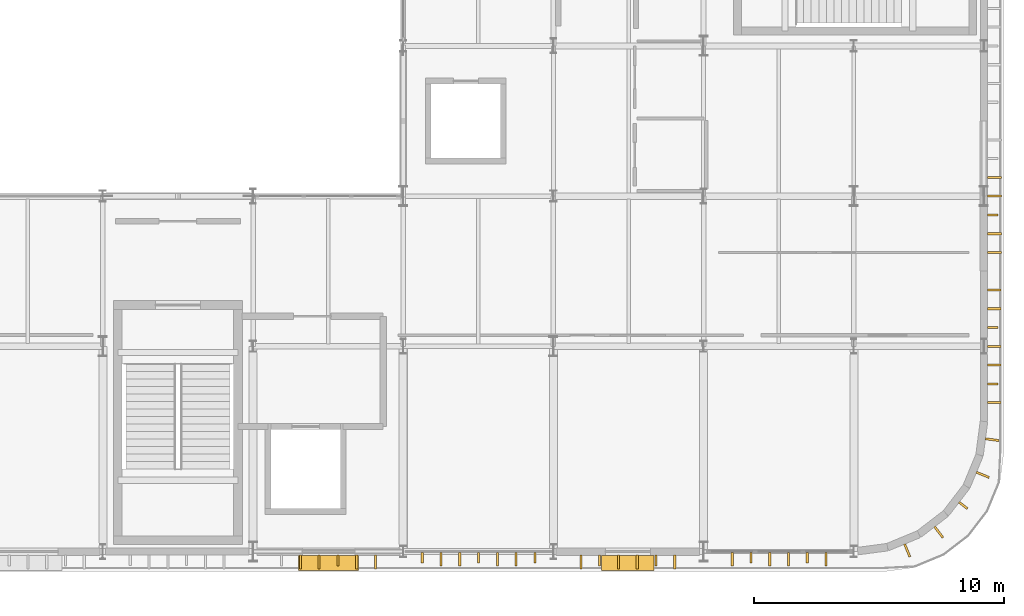
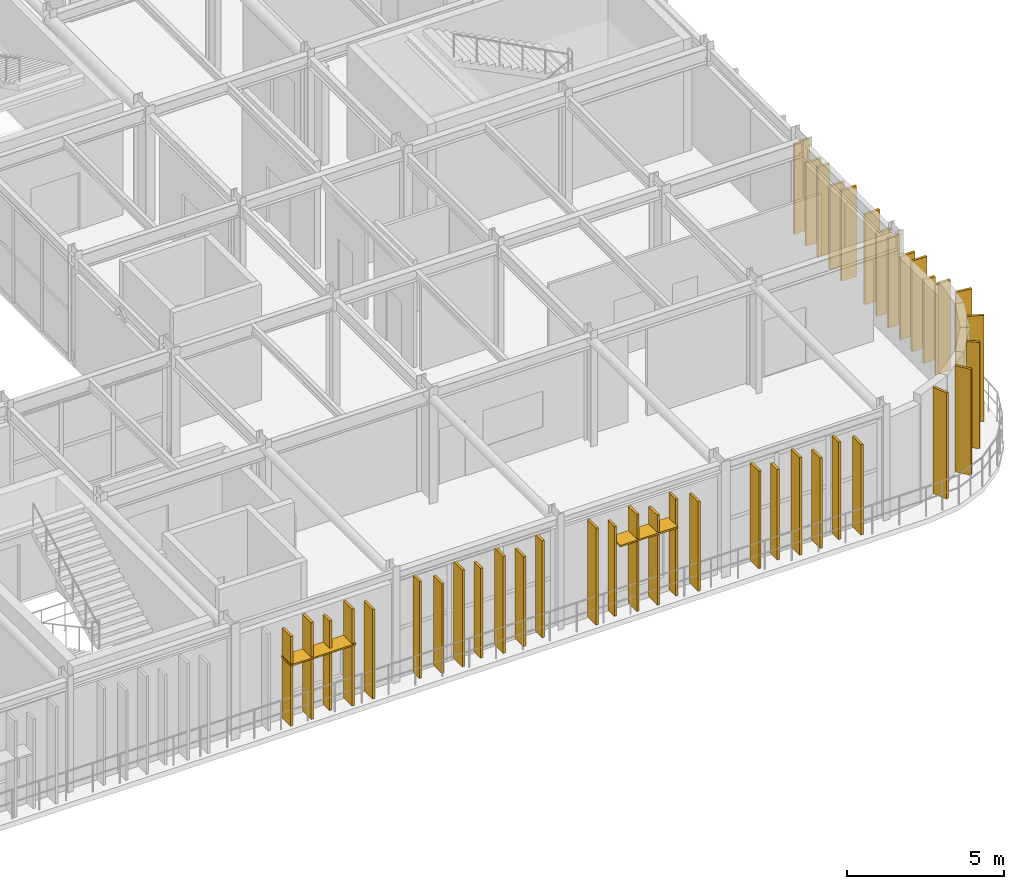
# One storey, part 81 of 84: 41 coverings, 2 shading devices.
"""IFC4 building model written with IfcOpenShell, lengths in metres."""

from ifc_helpers import new_model, si_unit, direction, frame, origin, origin_2d, place, context, subcontext, project, spatial, rectangle, extrude, material, layer, layer_set, type_object, element, save


model = new_model("IFC4")

# Units and contexts
model_context = context("Model", 3, precision=1e-05, world=origin(), true_north=direction((0.0, 1.0)))
body_context = subcontext(model_context, "Body", "Model", "MODEL_VIEW")
ifc_project = project(units=[si_unit("LENGTHUNIT", "METRE"), si_unit("AREAUNIT", "SQUARE_METRE"), si_unit("VOLUMEUNIT", "CUBIC_METRE"), si_unit("PLANEANGLEUNIT", "RADIAN"), si_unit("MASSUNIT", "GRAM", prefix="KILO")], contexts=[model_context])

# Site, building, storey
site_placement = place(None, origin())
site = spatial("IfcSite", under=ifc_project, at=site_placement, CompositionType="ELEMENT")
building_placement = place(site_placement, origin())
building = spatial("IfcBuilding", under=site, at=building_placement, Name="Varnakota Square Police Headquarters", CompositionType="ELEMENT")
storey_placement = place(building_placement, frame((0.0, 0.0, 13.5)))
storey = spatial("IfcBuildingStorey", under=building, at=storey_placement, Name="L03", CompositionType="ELEMENT", Elevation=13.5)

# Coverings
ifc_material_1 = material(Name="White Anodised Aluminium Vertical Facade Blade 420", Category="aluminium")
ifc_layer_1 = layer(ifc_material_1, 0.0849609375, Name="White Anodised Aluminium Vertical Facade Blade 420")
ifc_layer_set_1 = layer_set([ifc_layer_1], Name="White Anodised Aluminium Vertical Facade Blade 420")
covering_type_1 = type_object("IfcCoveringType", Name="COV-FIN-420", PredefinedType="CLADDING", material=ifc_layer_set_1)
covering_1_placement = place(storey_placement, frame((135.392578125, 0.445068359375, 0.0400390625), z_axis=(0.0, 0.0, 1.0), x_axis=(1.0, 0.0, 0.0)))
element("IfcCovering", 1, at=covering_1_placement, inside=storey, type_object=covering_type_1, Name="Vertical aluminium facade fin FIN-0451", PredefinedType="CLADDING", context=body_context, shape_type="SweptSolid", body=[
    extrude(rectangle(XDim=0.0849609375, YDim=0.419921875, at=origin_2d()), origin(), (0.0, 0.0, 1.0), 3.47998046875),
])
covering_2_placement = place(storey_placement, frame((138.760009765625, 0.5625, 0.0400390625), z_axis=(0.0, 0.0, 1.0), x_axis=(1.0, 0.0, 0.0)))
element("IfcCovering", 2, at=covering_2_placement, inside=storey, type_object=covering_type_1, Name="Vertical aluminium facade fin FIN-0454", PredefinedType="CLADDING", context=body_context, shape_type="SweptSolid", body=[
    extrude(rectangle(XDim=0.0849609375, YDim=0.419921875, at=origin_2d()), origin(), (0.0, 0.0, 1.0), 3.760009765625),
])
covering_3_placement = place(storey_placement, frame((141.010009765625, 0.5625, 0.0400390625), z_axis=(0.0, 0.0, 1.0), x_axis=(1.0, 0.0, 0.0)))
element("IfcCovering", 3, at=covering_3_placement, inside=storey, type_object=covering_type_1, Name="Vertical aluminium facade fin FIN-0457", PredefinedType="CLADDING", context=body_context, shape_type="SweptSolid", body=[
    extrude(rectangle(XDim=0.0849609375, YDim=0.419921875, at=origin_2d()), origin(), (0.0, 0.0, 1.0), 3.47998046875),
])
covering_4_placement = place(storey_placement, frame((143.260009765625, 0.5625, 0.0400390625), z_axis=(0.0, 0.0, 1.0), x_axis=(1.0, 0.0, 0.0)))
element("IfcCovering", 4, at=covering_4_placement, inside=storey, type_object=covering_type_1, Name="Vertical aluminium facade fin FIN-0460", PredefinedType="CLADDING", context=body_context, shape_type="SweptSolid", body=[
    extrude(rectangle(XDim=0.0849609375, YDim=0.419921875, at=origin_2d()), origin(), (0.0, 0.0, 1.0), 3.760009765625),
])
covering_5_placement = place(storey_placement, frame((145.847412109375, 0.445068359375, 0.0400390625), z_axis=(0.0, 0.0, 1.0), x_axis=(1.0, 0.0, 0.0)))
element("IfcCovering", 5, at=covering_5_placement, inside=storey, type_object=covering_type_1, Name="Vertical aluminium facade fin FIN-0462", PredefinedType="CLADDING", context=body_context, shape_type="SweptSolid", body=[
    extrude(rectangle(XDim=0.0849609375, YDim=0.419921875, at=origin_2d()), origin(), (0.0, 0.0, 1.0), 3.47998046875),
])
covering_6_placement = place(storey_placement, frame((148.097412109375, 0.445068359375, 0.0400390625), z_axis=(0.0, 0.0, 1.0), x_axis=(1.0, 0.0, 0.0)))
element("IfcCovering", 6, at=covering_6_placement, inside=storey, type_object=covering_type_1, Name="Vertical aluminium facade fin FIN-0465", PredefinedType="CLADDING", context=body_context, shape_type="SweptSolid", body=[
    extrude(rectangle(XDim=0.0849609375, YDim=0.419921875, at=origin_2d()), origin(), (0.0, 0.0, 1.0), 3.760009765625),
])
covering_7_placement = place(storey_placement, frame((151.892578125, 0.5625, 0.0400390625), z_axis=(0.0, 0.0, 1.0), x_axis=(1.0, 0.0, 0.0)))
element("IfcCovering", 7, at=covering_7_placement, inside=storey, type_object=covering_type_1, Name="Vertical aluminium facade fin FIN-0468", PredefinedType="CLADDING", context=body_context, shape_type="SweptSolid", body=[
    extrude(rectangle(XDim=0.0849609375, YDim=0.419921875, at=origin_2d()), origin(), (0.0, 0.0, 1.0), 3.506103515625),
])
covering_8_placement = place(storey_placement, frame((154.142578125, 0.5625, 0.0400390625), z_axis=(0.0, 0.0, 1.0), x_axis=(1.0, 0.0, 0.0)))
element("IfcCovering", 8, at=covering_8_placement, inside=storey, type_object=covering_type_1, Name="Vertical aluminium facade fin FIN-0471", PredefinedType="CLADDING", context=body_context, shape_type="SweptSolid", body=[
    extrude(rectangle(XDim=0.0849609375, YDim=0.419921875, at=origin_2d()), origin(), (0.0, 0.0, 1.0), 3.7861328125),
])
covering_9_placement = place(storey_placement, frame((161.544921875, 7.5, 0.0400390625), z_axis=(0.0, 0.0, 1.0), x_axis=(0.0, 1.0, 0.0)))
element("IfcCovering", 9, at=covering_9_placement, inside=storey, type_object=covering_type_1, Name="Vertical aluminium facade fin FIN-0474", PredefinedType="CLADDING", context=body_context, shape_type="SweptSolid", body=[
    extrude(rectangle(XDim=0.0849609375, YDim=0.419921875, at=origin_2d()), origin(), (0.0, 0.0, 1.0), 3.22998046875),
])
for number, where, z_axis, x_axis, name in (
    (10, (161.544921875, 9.75, 0.0400390625), (0.0, 0.0, 1.0), (0.0, 1.0, 0.0), "Vertical aluminium facade fin FIN-0477"),
    (11, (161.554931640625, 14.25, 0.0400390625), (0.0, 0.0, 1.0), (0.0, 1.0, 0.0), "Vertical aluminium facade fin FIN-0482"),
):
    element("IfcCovering", number, at=place(storey_placement, frame(where, z_axis=z_axis, x_axis=x_axis)), inside=storey, type_object=covering_type_1, Name=name, PredefinedType="CLADDING", context=body_context, shape_type="SweptSolid", body=[
        extrude(rectangle(XDim=0.0849609375, YDim=0.419921875, at=origin_2d()), origin(), (0.0, 0.0, 1.0), 3.510009765625),
    ])
covering_10_placement = place(storey_placement, frame((160.371826171875, 2.6455078125, 0.0400390625), z_axis=(0.0, 0.0, 1.0), x_axis=(0.608761429009, 0.793353340291, 0.0)))
element("IfcCovering", 12, at=covering_10_placement, inside=storey, type_object=covering_type_1, Name="Vertical aluminium facade fin FIN-0520", PredefinedType="CLADDING", context=body_context, shape_type="SweptSolid", body=[
    extrude(rectangle(XDim=0.0849609375, YDim=0.419921875, at=origin_2d()), origin(), (0.0, 0.0, 1.0), 4.114990234375),
])
ifc_material_2 = material(Name="White Anodised Aluminium Vertical Facade Blade 550", Category="aluminium")
ifc_layer_2 = layer(ifc_material_2, 0.0849609375, Name="White Anodised Aluminium Vertical Facade Blade 550")
ifc_layer_set_2 = layer_set([ifc_layer_2], Name="White Anodised Aluminium Vertical Facade Blade 550")
covering_type_2 = type_object("IfcCoveringType", Name="COV-FIN-550", PredefinedType="CLADDING", material=ifc_layer_set_2)
covering_11_placement = place(storey_placement, frame((133.892578125, 0.3798828125, 0.0400390625), z_axis=(0.0, 0.0, 1.0), x_axis=(1.0, 0.0, 0.0)))
element("IfcCovering", 13, at=covering_11_placement, inside=storey, type_object=covering_type_2, Name="Vertical aluminium facade fin FIN-0449", PredefinedType="CLADDING", context=body_context, shape_type="SweptSolid", body=[
    extrude(rectangle(XDim=0.0849609375, YDim=0.550048828125, at=origin_2d()), origin(), (0.0, 0.0, 1.0), 3.47998046875),
])
for number, where, z_axis, x_axis, name in (
    (14, (134.642578125, 0.3798828125, 0.0400390625), (0.0, 0.0, 1.0), (1.0, 0.0, 0.0), "Vertical aluminium facade fin FIN-0450"),
    (15, (136.142578125, 0.3798828125, 0.0400390625), (0.0, 0.0, 1.0), (1.0, 0.0, 0.0), "Vertical aluminium facade fin FIN-0452"),
):
    element("IfcCovering", number, at=place(storey_placement, frame(where, z_axis=z_axis, x_axis=x_axis)), inside=storey, type_object=covering_type_2, Name=name, PredefinedType="CLADDING", context=body_context, shape_type="SweptSolid", body=[
        extrude(rectangle(XDim=0.0849609375, YDim=0.550048828125, at=origin_2d()), origin(), (0.0, 0.0, 1.0), 3.760009765625),
    ])
for number, where, z_axis, x_axis, name in (
    (16, (136.892578125, 0.3798828125, 0.0400390625), (0.0, 0.0, 1.0), (1.0, 0.0, 0.0), "Vertical aluminium facade fin FIN-0453"),
    (17, (139.510009765625, 0.49755859375, 0.0400390625), (0.0, 0.0, 1.0), (1.0, 0.0, 0.0), "Vertical aluminium facade fin FIN-0455"),
):
    element("IfcCovering", number, at=place(storey_placement, frame(where, z_axis=z_axis, x_axis=x_axis)), inside=storey, type_object=covering_type_2, Name=name, PredefinedType="CLADDING", context=body_context, shape_type="SweptSolid", body=[
        extrude(rectangle(XDim=0.0849609375, YDim=0.550048828125, at=origin_2d()), origin(), (0.0, 0.0, 1.0), 3.47998046875),
    ])
for number, where, z_axis, x_axis, name in (
    (18, (140.260009765625, 0.49755859375, 0.0400390625), (0.0, 0.0, 1.0), (1.0, 0.0, 0.0), "Vertical aluminium facade fin FIN-0456"),
    (19, (141.760009765625, 0.49755859375, 0.0400390625), (0.0, 0.0, 1.0), (1.0, 0.0, 0.0), "Vertical aluminium facade fin FIN-0458"),
):
    element("IfcCovering", number, at=place(storey_placement, frame(where, z_axis=z_axis, x_axis=x_axis)), inside=storey, type_object=covering_type_2, Name=name, PredefinedType="CLADDING", context=body_context, shape_type="SweptSolid", body=[
        extrude(rectangle(XDim=0.0849609375, YDim=0.550048828125, at=origin_2d()), origin(), (0.0, 0.0, 1.0), 3.760009765625),
    ])
covering_12_placement = place(storey_placement, frame((142.510009765625, 0.49755859375, 0.0400390625), z_axis=(0.0, 0.0, 1.0), x_axis=(1.0, 0.0, 0.0)))
element("IfcCovering", 20, at=covering_12_placement, inside=storey, type_object=covering_type_2, Name="Vertical aluminium facade fin FIN-0459", PredefinedType="CLADDING", context=body_context, shape_type="SweptSolid", body=[
    extrude(rectangle(XDim=0.0849609375, YDim=0.550048828125, at=origin_2d()), origin(), (0.0, 0.0, 1.0), 3.47998046875),
])
for number, where, z_axis, x_axis, name in (
    (21, (145.097412109375, 0.3798828125, 0.0400390625), (0.0, 0.0, 1.0), (1.0, 0.0, 0.0), "Vertical aluminium facade fin FIN-0461"),
    (22, (146.597412109375, 0.3798828125, 0.0400390625), (0.0, 0.0, 1.0), (1.0, 0.0, 0.0), "Vertical aluminium facade fin FIN-0463"),
):
    element("IfcCovering", number, at=place(storey_placement, frame(where, z_axis=z_axis, x_axis=x_axis)), inside=storey, type_object=covering_type_2, Name=name, PredefinedType="CLADDING", context=body_context, shape_type="SweptSolid", body=[
        extrude(rectangle(XDim=0.0849609375, YDim=0.550048828125, at=origin_2d()), origin(), (0.0, 0.0, 1.0), 3.760009765625),
    ])
for number, where, z_axis, x_axis, name in (
    (23, (147.347412109375, 0.3798828125, 0.0400390625), (0.0, 0.0, 1.0), (1.0, 0.0, 0.0), "Vertical aluminium facade fin FIN-0464"),
    (24, (148.847412109375, 0.3798828125, 0.0400390625), (0.0, 0.0, 1.0), (1.0, 0.0, 0.0), "Vertical aluminium facade fin FIN-0466"),
):
    element("IfcCovering", number, at=place(storey_placement, frame(where, z_axis=z_axis, x_axis=x_axis)), inside=storey, type_object=covering_type_2, Name=name, PredefinedType="CLADDING", context=body_context, shape_type="SweptSolid", body=[
        extrude(rectangle(XDim=0.0849609375, YDim=0.550048828125, at=origin_2d()), origin(), (0.0, 0.0, 1.0), 3.47998046875),
    ])
for number, where, z_axis, x_axis, name in (
    (25, (151.142578125, 0.49755859375, 0.0400390625), (0.0, 0.0, 1.0), (1.0, 0.0, 0.0), "Vertical aluminium facade fin FIN-0467"),
    (26, (152.642578125, 0.49755859375, 0.0400390625), (0.0, 0.0, 1.0), (1.0, 0.0, 0.0), "Vertical aluminium facade fin FIN-0469"),
):
    element("IfcCovering", number, at=place(storey_placement, frame(where, z_axis=z_axis, x_axis=x_axis)), inside=storey, type_object=covering_type_2, Name=name, PredefinedType="CLADDING", context=body_context, shape_type="SweptSolid", body=[
        extrude(rectangle(XDim=0.0849609375, YDim=0.550048828125, at=origin_2d()), origin(), (0.0, 0.0, 1.0), 3.7861328125),
    ])
for number, where, z_axis, x_axis, name in (
    (27, (153.392578125, 0.49755859375, 0.0400390625), (0.0, 0.0, 1.0), (1.0, 0.0, 0.0), "Vertical aluminium facade fin FIN-0470"),
    (28, (154.892578125, 0.49755859375, 0.0400390625), (0.0, 0.0, 1.0), (1.0, 0.0, 0.0), "Vertical aluminium facade fin FIN-0472"),
):
    element("IfcCovering", number, at=place(storey_placement, frame(where, z_axis=z_axis, x_axis=x_axis)), inside=storey, type_object=covering_type_2, Name=name, PredefinedType="CLADDING", context=body_context, shape_type="SweptSolid", body=[
        extrude(rectangle(XDim=0.0849609375, YDim=0.550048828125, at=origin_2d()), origin(), (0.0, 0.0, 1.0), 3.506103515625),
    ])
for number, where, z_axis, x_axis, name in (
    (29, (161.610107421875, 6.75, 0.0400390625), (0.0, 0.0, 1.0), (0.0, 1.0, 0.0), "Vertical aluminium facade fin FIN-0473"),
    (30, (161.610107421875, 8.25, 0.0400390625), (0.0, 0.0, 1.0), (0.0, 1.0, 0.0), "Vertical aluminium facade fin FIN-0475"),
):
    element("IfcCovering", number, at=place(storey_placement, frame(where, z_axis=z_axis, x_axis=x_axis)), inside=storey, type_object=covering_type_2, Name=name, PredefinedType="CLADDING", context=body_context, shape_type="SweptSolid", body=[
        extrude(rectangle(XDim=0.0849609375, YDim=0.550048828125, at=origin_2d()), origin(), (0.0, 0.0, 1.0), 3.510009765625),
    ])
for number, where, z_axis, x_axis, name in (
    (31, (161.610107421875, 9.0, 0.0400390625), (0.0, 0.0, 1.0), (0.0, 1.0, 0.0), "Vertical aluminium facade fin FIN-0476"),
    (32, (161.610107421875, 10.5, 0.0400390625), (0.0, 0.0, 1.0), (0.0, 1.0, 0.0), "Vertical aluminium facade fin FIN-0478"),
):
    element("IfcCovering", number, at=place(storey_placement, frame(where, z_axis=z_axis, x_axis=x_axis)), inside=storey, type_object=covering_type_2, Name=name, PredefinedType="CLADDING", context=body_context, shape_type="SweptSolid", body=[
        extrude(rectangle(XDim=0.0849609375, YDim=0.550048828125, at=origin_2d()), origin(), (0.0, 0.0, 1.0), 3.22998046875),
    ])
for number, where, z_axis, x_axis, name in (
    (33, (161.610107421875, 11.25, 0.0400390625), (0.0, 0.0, 1.0), (0.0, 1.0, 0.0), "Vertical aluminium facade fin FIN-0479"),
    (34, (161.6201171875, 12.75, 0.0400390625), (0.0, 0.0, 1.0), (0.0, 1.0, 0.0), "Vertical aluminium facade fin FIN-0480"),
):
    element("IfcCovering", number, at=place(storey_placement, frame(where, z_axis=z_axis, x_axis=x_axis)), inside=storey, type_object=covering_type_2, Name=name, PredefinedType="CLADDING", context=body_context, shape_type="SweptSolid", body=[
        extrude(rectangle(XDim=0.0849609375, YDim=0.550048828125, at=origin_2d()), origin(), (0.0, 0.0, 1.0), 3.510009765625),
    ])
for number, where, z_axis, x_axis, name in (
    (35, (161.6201171875, 13.5, 0.0400390625), (0.0, 0.0, 1.0), (0.0, 1.0, 0.0), "Vertical aluminium facade fin FIN-0481"),
    (36, (161.6201171875, 15.0, 0.0400390625), (0.0, 0.0, 1.0), (0.0, 1.0, 0.0), "Vertical aluminium facade fin FIN-0483"),
):
    element("IfcCovering", number, at=place(storey_placement, frame(where, z_axis=z_axis, x_axis=x_axis)), inside=storey, type_object=covering_type_2, Name=name, PredefinedType="CLADDING", context=body_context, shape_type="SweptSolid", body=[
        extrude(rectangle(XDim=0.0849609375, YDim=0.550048828125, at=origin_2d()), origin(), (0.0, 0.0, 1.0), 3.22998046875),
    ])
covering_13_placement = place(storey_placement, frame((161.6201171875, 15.75, 0.0400390625), z_axis=(0.0, 0.0, 1.0), x_axis=(0.0, 1.0, 0.0)))
element("IfcCovering", 37, at=covering_13_placement, inside=storey, type_object=covering_type_2, Name="Vertical aluminium facade fin FIN-0484", PredefinedType="CLADDING", context=body_context, shape_type="SweptSolid", body=[
    extrude(rectangle(XDim=0.0849609375, YDim=0.550048828125, at=origin_2d()), origin(), (0.0, 0.0, 1.0), 3.510009765625),
])
for number, where, z_axis, x_axis, name in (
    (38, (158.1337890625, 0.848876953125, 0.0400390625), (0.0, 0.0, 1.0), (0.923879532511, 0.382683432365, 0.0), "Vertical aluminium facade fin FIN-0518"),
    (39, (159.394287109375, 1.57666015625, 0.0400390625), (0.0, 0.0, 1.0), (0.793353340291, 0.608761429009, 0.0), "Vertical aluminium facade fin FIN-0519"),
    (40, (161.151123046875, 3.8662109375, 0.0400390625), (0.0, 0.0, 1.0), (0.382683432365, 0.923879532511, 0.0), "Vertical aluminium facade fin FIN-0521"),
    (41, (161.52783203125, 5.272216796875, 0.0400390625), (0.0, 0.0, 1.0), (0.13052619222, 0.991444861374, 0.0), "Vertical aluminium facade fin FIN-0522"),
):
    element("IfcCovering", number, at=place(storey_placement, frame(where, z_axis=z_axis, x_axis=x_axis)), inside=storey, type_object=covering_type_2, Name=name, PredefinedType="CLADDING", context=body_context, shape_type="SweptSolid", body=[
        extrude(rectangle(XDim=0.0849609375, YDim=0.550048828125, at=origin_2d()), origin(), (0.0, 0.0, 1.0), 4.114990234375),
    ])

# Shading devices
ifc_material_3 = material(Name="Anodised Aluminium Horizontal Brise-Soleil", Category="aluminium")
ifc_layer_3 = layer(ifc_material_3, 0.06005859375, Name="Anodised Aluminium Horizontal Brise-Soleil")
ifc_layer_set_3 = layer_set([ifc_layer_3], Name="Anodised Aluminium Horizontal Brise-Soleil")
shading_device_type = type_object("IfcShadingDeviceType", Name="SHD-JAL-600", PredefinedType="JALOUSIE", material=ifc_layer_set_3)
shading_device_1_placement = place(storey_placement, frame((135.017578125, 0.35205078125, 2.39990234375), z_axis=(0.0, 0.0, 1.0), x_axis=(1.0, 0.0, 0.0)))
element("IfcShadingDevice", 42, at=shading_device_1_placement, inside=storey, type_object=shading_device_type, Name="Horizontal sunshade SHD-024", PredefinedType="JALOUSIE", context=body_context, shape_type="SweptSolid", body=[
    extrude(rectangle(XDim=2.39990234375, YDim=0.60009765625, at=origin_2d()), origin(), (0.0, 0.0, 1.0), 0.06005859375),
])
shading_device_2_placement = place(storey_placement, frame((146.972412109375, 0.35205078125, 2.800048828125), z_axis=(0.0, 0.0, 1.0), x_axis=(1.0, 0.0, 0.0)))
element("IfcShadingDevice", 43, at=shading_device_2_placement, inside=storey, type_object=shading_device_type, Name="Horizontal sunshade SHD-025", PredefinedType="JALOUSIE", context=body_context, shape_type="SweptSolid", body=[
    extrude(rectangle(XDim=2.10009765625, YDim=0.60009765625, at=origin_2d()), origin(), (0.0, 0.0, 1.0), 0.06005859375),
])

save(model, "model.ifc")
